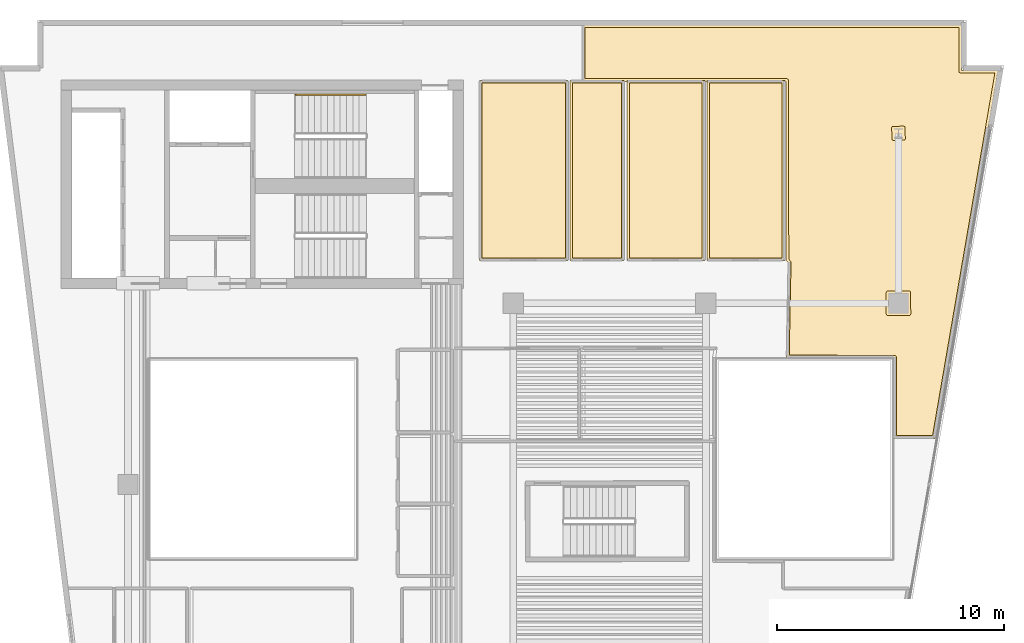
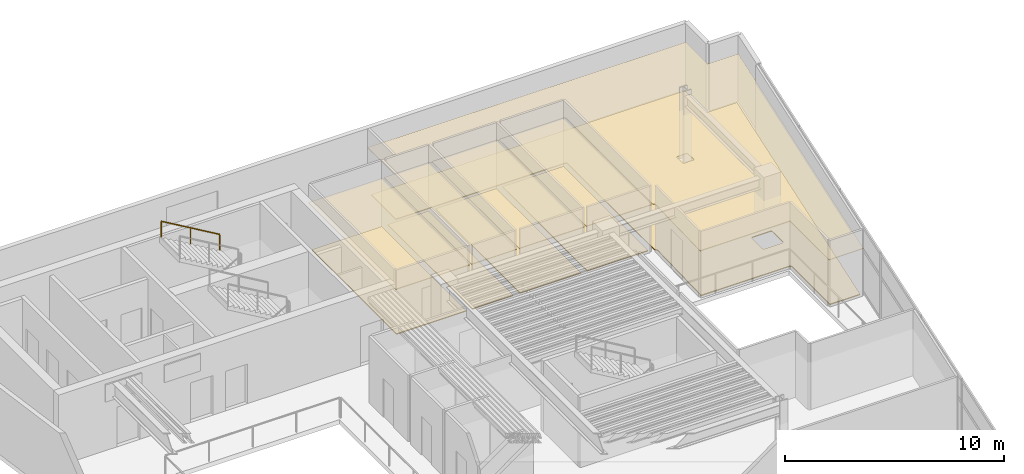
# One storey, part 9 of 9: 10 coverings, 1 railing.
"""IFC4 building model written with IfcOpenShell, lengths in metres."""

from ifc_helpers import new_model, si_unit, direction, frame, origin, origin_2d, place, context, subcontext, project, spatial, polyline, rectangle, outline, extrude, material, layer, layer_set, type_object, element, save


model = new_model("IFC4")

# Units and contexts
model_context = context("Model", 3, precision=1e-05, world=origin(), true_north=direction((0.0, 1.0)))
body_context = subcontext(model_context, "Body", "Model", "MODEL_VIEW")
ifc_project = project(units=[si_unit("LENGTHUNIT", "METRE"), si_unit("AREAUNIT", "SQUARE_METRE"), si_unit("VOLUMEUNIT", "CUBIC_METRE"), si_unit("PLANEANGLEUNIT", "RADIAN"), si_unit("MASSUNIT", "GRAM", prefix="KILO")], contexts=[model_context])

# Site, building, storey
site_placement = place(None, origin())
site = spatial("IfcSite", under=ifc_project, at=site_placement, CompositionType="ELEMENT")
building_placement = place(site_placement, origin())
building = spatial("IfcBuilding", under=site, at=building_placement, Name="Caeloran Harvest Quay", CompositionType="ELEMENT")
storey_placement = place(building_placement, frame((0.0, 0.0, 207.449951171875)))
storey = spatial("IfcBuildingStorey", under=building, at=storey_placement, Name="L49", CompositionType="ELEMENT", Elevation=207.449951171875)

# Coverings
ifc_material_1 = material(Name="Perforated Mineral-Fibre Acoustic Ceiling Tile", Category="ceiling")
ifc_layer_1 = layer(ifc_material_1, 0.0400390625, Name="Perforated Mineral-Fibre Acoustic Ceiling Tile")
ifc_layer_set_1 = layer_set([ifc_layer_1], Name="Perforated Mineral-Fibre Acoustic Ceiling Tile")
covering_type_1 = type_object("IfcCoveringType", Name="COV-CEILING-ACOUSTIC", PredefinedType="CEILING", material=ifc_layer_set_1)
covering_1_placement = place(storey_placement, frame((0.0, 0.0, 2.60009765625)))
element("IfcCovering", 1, at=covering_1_placement, inside=storey, type_object=covering_type_1, Name="L49 Crop Phenotyping West Laboratory Acoustic Ceiling", PredefinedType="CEILING", context=body_context, shape_type="SweptSolid", body=[
    extrude(outline(polyline([(27.919921875, 40.840087890625), (27.919921875, 32.8798828125), (24.010009765625, 32.8798828125), (24.010009765625, 40.840087890625), (27.919921875, 40.840087890625)])), origin(), (0.0, 0.0, 1.0), 0.0400390625),
])
covering_2_placement = place(storey_placement, frame((0.0, 0.0, 2.60009765625)))
element("IfcCovering", 2, at=covering_2_placement, inside=storey, type_object=covering_type_1, Name="L49 Genomics Sequencing East Studio Acoustic Ceiling", PredefinedType="CEILING", context=body_context, shape_type="SweptSolid", body=[
    extrude(outline(polyline([(30.389892578125, 40.840087890625), (30.389892578125, 32.8798828125), (28.0, 32.8798828125), (28.0, 40.840087890625), (30.389892578125, 40.840087890625)])), origin(), (0.0, 0.0, 1.0), 0.0400390625),
])
covering_3_placement = place(storey_placement, frame((0.0, 0.0, 2.60009765625)))
element("IfcCovering", 3, at=covering_3_placement, inside=storey, type_object=covering_type_1, Name="L49 Agri-Genomics West Boardroom Acoustic Ceiling", PredefinedType="CEILING", context=body_context, shape_type="SweptSolid", body=[
    extrude(outline(polyline([(33.9599609375, 40.840087890625), (33.9599609375, 32.8798828125), (30.510009765625, 32.8798828125), (30.510009765625, 40.840087890625), (33.9599609375, 40.840087890625)])), origin(), (0.0, 0.0, 1.0), 0.0400390625),
])
covering_4_placement = place(storey_placement, frame((0.0, 0.0, 2.60009765625)))
element("IfcCovering", 4, at=covering_4_placement, inside=storey, type_object=covering_type_1, Name="L49 Executive Strategy East Office Acoustic Ceiling", PredefinedType="CEILING", context=body_context, shape_type="SweptSolid", body=[
    extrude(outline(polyline([(37.489990234375, 40.840087890625), (37.489990234375, 32.8798828125), (34.0400390625, 32.8798828125), (34.0400390625, 40.840087890625), (37.489990234375, 40.840087890625)])), origin(), (0.0, 0.0, 1.0), 0.0400390625),
])
covering_5_placement = place(storey_placement, frame((0.0, 0.0, 2.60009765625)))
element("IfcCovering", 5, at=covering_5_placement, inside=storey, type_object=covering_type_1, Name="Policy Seminar Meeting Hall 8 Acoustic Ceiling", PredefinedType="CEILING", context=body_context, shape_type="SweptSolid", body=[
    extrude(outline(polyline([(45.280029296875, 41.280029296875), (46.895263671875, 41.280029296875), (44.10400390625, 25.0400390625), (42.2900390625, 25.0400390625), (42.2900390625, 28.590087890625), (37.556884765625, 28.590087890625), (37.6396484375, 32.802734375), (37.5400390625, 32.89453125), (37.5400390625, 40.7900390625), (28.5400390625, 40.7900390625), (28.5400390625, 43.280029296875), (45.280029296875, 43.280029296875), (45.280029296875, 41.280029296875)])), origin(), (0.0, 0.0, 1.0), 0.0400390625),
])
ifc_material_2 = material(Name="Calcium-Sulphate Raised Access Floor and Terrazzo Finish", Category="flooring")
ifc_layer_2 = layer(ifc_material_2, 0.050048828125, Name="Calcium-Sulphate Raised Access Floor and Terrazzo Finish")
ifc_layer_set_2 = layer_set([ifc_layer_2], Name="Calcium-Sulphate Raised Access Floor and Terrazzo Finish")
covering_type_2 = type_object("IfcCoveringType", Name="COV-FLOOR-RAISED", PredefinedType="FLOORING", material=ifc_layer_set_2)
covering_6_placement = place(storey_placement, origin())
element("IfcCovering", 6, at=covering_6_placement, inside=storey, type_object=covering_type_2, Name="L49 Crop Phenotyping West Laboratory Raised Finish Flooring", PredefinedType="FLOORING", context=body_context, shape_type="SweptSolid", body=[
    extrude(outline(polyline([(27.800048828125, 40.719970703125), (27.800048828125, 33.0), (24.1298828125, 33.0), (24.1298828125, 40.719970703125), (27.800048828125, 40.719970703125)])), origin(), (0.0, 0.0, 1.0), 0.050048828125),
])
covering_7_placement = place(storey_placement, origin())
element("IfcCovering", 7, at=covering_7_placement, inside=storey, type_object=covering_type_2, Name="L49 Genomics Sequencing East Studio Raised Finish Flooring", PredefinedType="FLOORING", context=body_context, shape_type="SweptSolid", body=[
    extrude(outline(polyline([(30.27001953125, 40.719970703125), (30.27001953125, 33.0), (28.1201171875, 33.0), (28.1201171875, 40.719970703125), (30.27001953125, 40.719970703125)])), origin(), (0.0, 0.0, 1.0), 0.050048828125),
])
covering_8_placement = place(storey_placement, origin())
element("IfcCovering", 8, at=covering_8_placement, inside=storey, type_object=covering_type_2, Name="L49 Agri-Genomics West Boardroom Raised Finish Flooring", PredefinedType="FLOORING", context=body_context, shape_type="SweptSolid", body=[
    extrude(outline(polyline([(33.840087890625, 40.719970703125), (33.840087890625, 33.0), (30.6298828125, 33.0), (30.6298828125, 40.719970703125), (33.840087890625, 40.719970703125)])), origin(), (0.0, 0.0, 1.0), 0.050048828125),
])
covering_9_placement = place(storey_placement, origin())
element("IfcCovering", 9, at=covering_9_placement, inside=storey, type_object=covering_type_2, Name="L49 Executive Strategy East Office Raised Finish Flooring", PredefinedType="FLOORING", context=body_context, shape_type="SweptSolid", body=[
    extrude(outline(polyline([(37.3701171875, 40.719970703125), (37.3701171875, 33.0), (34.159912109375, 33.0), (34.159912109375, 40.719970703125), (37.3701171875, 40.719970703125)])), origin(), (0.0, 0.0, 1.0), 0.050048828125),
])
covering_10_placement = place(storey_placement, origin())
element("IfcCovering", 10, at=covering_10_placement, inside=storey, type_object=covering_type_2, Name="Policy Seminar Meeting Hall 8 Raised Finish Flooring", PredefinedType="FLOORING", context=body_context, shape_type="SweptSolid", body=[
    extrude(outline(polyline([(28.659912109375, 43.159912109375), (45.159912109375, 43.159912109375), (45.17822265625, 41.189208984375), (45.239990234375, 41.159912109375), (46.752685546875, 41.159912109375), (44.002685546875, 25.159912109375), (42.409912109375, 25.159912109375), (42.409912109375, 28.6298828125), (42.36767578125, 28.70068359375), (37.679443359375, 28.7099609375), (37.760009765625, 32.818359375), (37.659912109375, 32.947265625), (37.641845703125, 40.880859375), (37.580078125, 40.909912109375), (28.659912109375, 40.909912109375), (28.659912109375, 43.159912109375)]), holes=[polyline([(43.044921875, 30.534912109375), (43.02685546875, 31.515869140625), (42.972900390625, 31.544677734375), (42.034912109375, 31.544921875), (41.978515625, 31.521484375), (41.955078125, 31.465087890625), (41.955078125, 30.534912109375), (41.978515625, 30.478515625), (42.034912109375, 30.455078125), (42.965087890625, 30.455078125), (43.021484375, 30.478515625), (43.044921875, 30.534912109375)]), polyline([(42.802490234375, 38.254150390625), (42.784912109375, 38.788818359375), (42.730712890625, 38.817626953125), (42.226318359375, 38.7998046875), (42.197021484375, 38.738037109375), (42.215087890625, 38.211181640625), (42.277099609375, 38.181884765625), (42.773681640625, 38.2001953125), (42.802490234375, 38.254150390625)])]), origin(), (0.0, 0.0, 1.0), 0.050048828125),
])

# Railing
ifc_material_3 = material(Name="Brushed Stainless Steel Grade 304", Category="steel")
ifc_layer_3 = layer(ifc_material_3, 0.050048828125, Name="Brushed Stainless Steel Grade 304")
ifc_layer_set_3 = layer_set([ifc_layer_3], Name="Brushed Stainless Steel Grade 304")
railing_type = type_object("IfcRailingType", Name="STAIR-HANDRAIL-900", PredefinedType="HANDRAIL", material=ifc_layer_set_3)
railing_placement = place(storey_placement, frame((18.97998046875, 40.199951171875, 2.1396484375)))
element("IfcRailing", 11, at=railing_placement, inside=storey, type_object=railing_type, Name="L49 ST-C1 stair handrail 2", PredefinedType="HANDRAIL", context=body_context, shape_type="SweptSolid", body=[
    extrude(rectangle(XDim=0.048095703125, YDim=0.048095703125, at=origin_2d()), frame((0.0, 0.0, 0.8759765625), z_axis=(-0.862118610829, 0.0, 0.506706523406), x_axis=(0.0, -1.0, 0.0)), (0.0, 0.0, 1.0), 3.57275390625),
    extrude(rectangle(XDim=0.0419921875, YDim=0.0419921875, at=origin_2d()), origin(), (0.0, 0.0, 1.0), 0.851806640625),
    extrude(rectangle(XDim=0.0419921875, YDim=0.0419921875, at=origin_2d()), frame((-1.5400390625, 0.0, 0.9052734375)), (0.0, 0.0, 1.0), 0.851806640625),
    extrude(rectangle(XDim=0.0419921875, YDim=0.0419921875, at=origin_2d()), frame((-3.080078125, 0.0, 1.810302734375)), (0.0, 0.0, 1.0), 0.851806640625),
])

save(model, "model.ifc")
